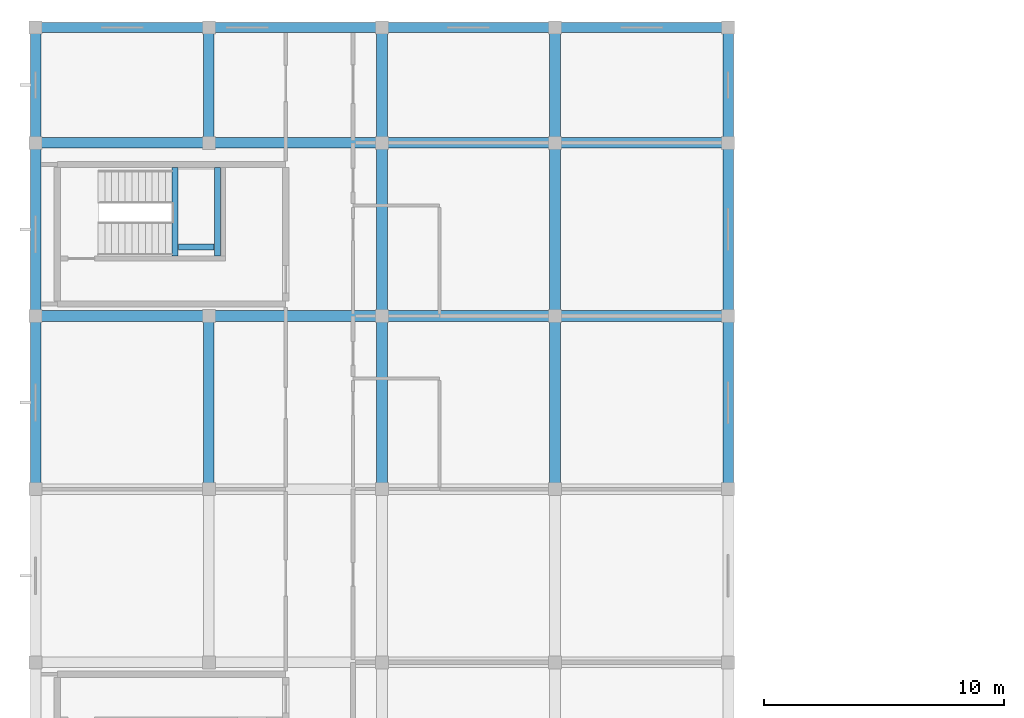
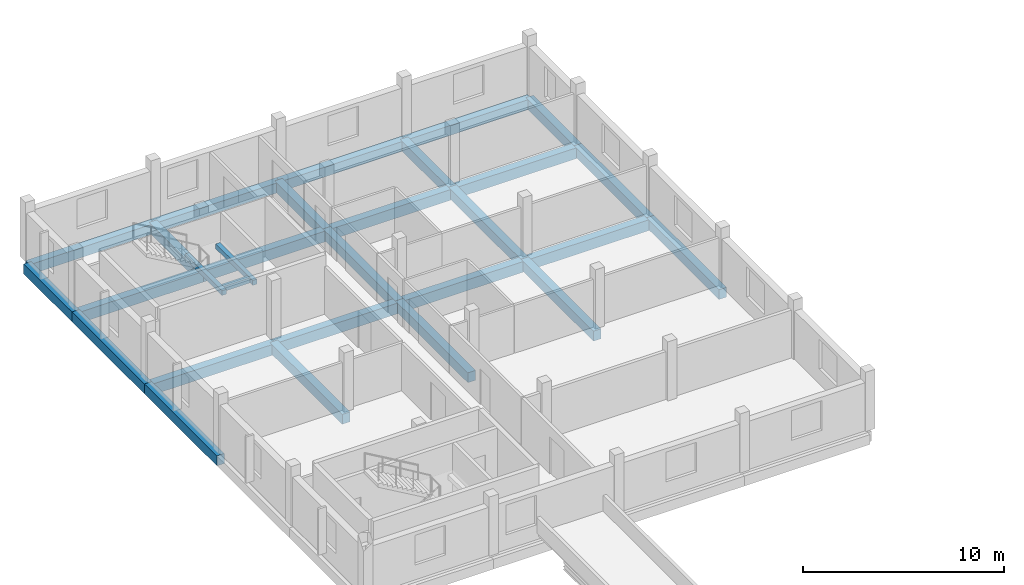
# One storey, part 38 of 93: 29 beams.
"""IFC4 building model written with IfcOpenShell, lengths in metres."""

from ifc_helpers import new_model, si_unit, direction, frame, origin, origin_2d, place, context, subcontext, project, spatial, rectangle, extrude, material, material_profile, profile_set, type_object, element, save


model = new_model("IFC4")

# Units and contexts
model_context = context("Model", 3, precision=1e-05, world=origin(), true_north=direction((0.0, 1.0)))
body_context = subcontext(model_context, "Body", "Model", "MODEL_VIEW")
ifc_project = project(units=[si_unit("LENGTHUNIT", "METRE"), si_unit("AREAUNIT", "SQUARE_METRE"), si_unit("VOLUMEUNIT", "CUBIC_METRE"), si_unit("PLANEANGLEUNIT", "RADIAN"), si_unit("MASSUNIT", "GRAM", prefix="KILO")], contexts=[model_context])

# Site, building, storey
site_placement = place(None, origin())
site = spatial("IfcSite", under=ifc_project, at=site_placement, CompositionType="ELEMENT")
building_placement = place(site_placement, origin())
building = spatial("IfcBuilding", under=site, at=building_placement, Name="Zornivar Specialist Clinic", CompositionType="ELEMENT")
storey_placement = place(building_placement, frame((0.0, 0.0, 8.39990234375)))
storey = spatial("IfcBuildingStorey", under=building, at=storey_placement, Name="L02", CompositionType="ELEMENT", Elevation=8.39990234375)

# Beams
ifc_material_1 = material(Name="Concrete C30/37", Category="concrete")
ifc_material_profile_1 = material_profile(ifc_material_1, rectangle(XDim=0.25, YDim=0.300048828125, at=origin_2d()), Name="RC 250x300")
ifc_profile_set_1 = profile_set([ifc_material_profile_1], Name="Concrete C30/37")
beam_type_1 = type_object("IfcBeamType", Name="BM-LAND-250x300", PredefinedType="BEAM", material=ifc_profile_set_1)
for number, where, z_axis, x_axis, name in (
    (1, (5.800048828125, 103.300048828125, 1.6201171875), (0.0, 1.0, 0.0), (-1.0, 0.0, 0.0), "bm:stair:C8:L02:lW"),
    (2, (7.56005859375, 103.300048828125, 1.6201171875), (0.0, 1.0, 0.0), (-1.0, 0.0, 0.0), "bm:stair:C8:L02:lE"),
):
    element("IfcBeam", number, at=place(storey_placement, frame(where, z_axis=z_axis, x_axis=x_axis)), inside=storey, type_object=beam_type_1, Name=name, PredefinedType="BEAM", context=body_context, shape_type="SweptSolid", body=[
        extrude(rectangle(XDim=0.25, YDim=0.300048828125, at=origin_2d()), origin(), (0.0, 0.0, 1.0), 3.669921875),
    ])
beam_1_placement = place(storey_placement, frame((5.93505859375, 103.679931640625, 1.6201171875), z_axis=(1.0, 0.0, 0.0), x_axis=(0.0, 1.0, 0.0)))
element("IfcBeam", 3, at=beam_1_placement, inside=storey, type_object=beam_type_1, Name="bm:stair:C8:L02:lS", PredefinedType="BEAM", context=body_context, shape_type="SweptSolid", body=[
    extrude(rectangle(XDim=0.25, YDim=0.300048828125, at=origin_2d()), origin(), (0.0, 0.0, 1.0), 1.489990234375),
])
ifc_material_2 = material(Name="Concrete C30/37", Category="concrete")
ifc_material_profile_2 = material_profile(ifc_material_2, rectangle(XDim=0.43994140625, YDim=0.64990234375, at=origin_2d()), Name="RC 440x650")
ifc_profile_set_2 = profile_set([ifc_material_profile_2], Name="Concrete C30/37")
beam_type_2 = type_object("IfcBeamType", Name="BM-RC-440x650", PredefinedType="BEAM", material=ifc_profile_set_2)
for number, where, z_axis, x_axis, name in (
    (4, (0.0, 100.800048828125, -0.635009765625), (1.0, 0.0, 0.0), (0.0, 1.0, 0.0), "bm:V5:L02:x:1008:0"),
    (5, (7.199951171875, 100.800048828125, -0.635009765625), (1.0, 0.0, 0.0), (0.0, 1.0, 0.0), "bm:V5:L02:x:1008:1"),
):
    element("IfcBeam", number, at=place(storey_placement, frame(where, z_axis=z_axis, x_axis=x_axis)), inside=storey, type_object=beam_type_2, Name=name, PredefinedType="BEAM", context=body_context, shape_type="SweptSolid", body=[
        extrude(rectangle(XDim=0.43994140625, YDim=0.64990234375, at=origin_2d()), origin(), (0.0, 0.0, 1.0), 7.199951171875),
    ])
beam_2_placement = place(storey_placement, frame((14.39990234375, 100.800048828125, -0.635009765625), z_axis=(1.0, 0.0, 0.0), x_axis=(0.0, 1.0, 0.0)))
element("IfcBeam", 6, at=beam_2_placement, inside=storey, type_object=beam_type_2, Name="bm:V5:L02:x:1008:2", PredefinedType="BEAM", context=body_context, shape_type="SweptSolid", body=[
    extrude(rectangle(XDim=0.43994140625, YDim=0.64990234375, at=origin_2d()), origin(), (0.0, 0.0, 1.0), 7.2001953125),
])
for number, where, z_axis, x_axis, name in (
    (7, (21.60009765625, 100.800048828125, -0.635009765625), (1.0, 0.0, 0.0), (0.0, 1.0, 0.0), "bm:V5:L02:x:1008:3"),
    (8, (0.0, 108.0, -0.635009765625), (1.0, 0.0, 0.0), (0.0, 1.0, 0.0), "bm:V5:L02:x:1080:0"),
    (9, (7.199951171875, 108.0, -0.635009765625), (1.0, 0.0, 0.0), (0.0, 1.0, 0.0), "bm:V5:L02:x:1080:1"),
):
    element("IfcBeam", number, at=place(storey_placement, frame(where, z_axis=z_axis, x_axis=x_axis)), inside=storey, type_object=beam_type_2, Name=name, PredefinedType="BEAM", context=body_context, shape_type="SweptSolid", body=[
        extrude(rectangle(XDim=0.43994140625, YDim=0.64990234375, at=origin_2d()), origin(), (0.0, 0.0, 1.0), 7.199951171875),
    ])
beam_3_placement = place(storey_placement, frame((14.39990234375, 108.0, -0.635009765625), z_axis=(1.0, 0.0, 0.0), x_axis=(0.0, 1.0, 0.0)))
element("IfcBeam", 10, at=beam_3_placement, inside=storey, type_object=beam_type_2, Name="bm:V5:L02:x:1080:2", PredefinedType="BEAM", context=body_context, shape_type="SweptSolid", body=[
    extrude(rectangle(XDim=0.43994140625, YDim=0.64990234375, at=origin_2d()), origin(), (0.0, 0.0, 1.0), 7.2001953125),
])
beam_4_placement = place(storey_placement, frame((21.60009765625, 108.0, -0.635009765625), z_axis=(1.0, 0.0, 0.0), x_axis=(0.0, 1.0, 0.0)))
element("IfcBeam", 11, at=beam_4_placement, inside=storey, type_object=beam_type_2, Name="bm:V5:L02:x:1080:3", PredefinedType="BEAM", context=body_context, shape_type="SweptSolid", body=[
    extrude(rectangle(XDim=0.43994140625, YDim=0.64990234375, at=origin_2d()), origin(), (0.0, 0.0, 1.0), 7.199951171875),
])
ifc_material_3 = material(Name="Concrete C30/37", Category="concrete")
ifc_material_profile_3 = material_profile(ifc_material_3, rectangle(XDim=0.449951171875, YDim=0.60009765625, at=origin_2d()), Name="RC 450x600")
ifc_profile_set_3 = profile_set([ifc_material_profile_3], Name="Concrete C30/37")
beam_type_3 = type_object("IfcBeamType", Name="BM-RC-450x600", PredefinedType="BEAM", material=ifc_profile_set_3)
beam_5_placement = place(storey_placement, frame((7.199951171875, 93.60009765625, -0.60986328125), z_axis=(0.0, 1.0, 0.0), x_axis=(-1.0, 0.0, 0.0)))
element("IfcBeam", 12, at=beam_5_placement, inside=storey, type_object=beam_type_3, Name="bm:V5:L02:y:72:2", PredefinedType="BEAM", context=body_context, shape_type="SweptSolid", body=[
    extrude(rectangle(XDim=0.449951171875, YDim=0.60009765625, at=origin_2d()), origin(), (0.0, 0.0, 1.0), 7.199951171875),
])
beam_6_placement = place(storey_placement, frame((7.199951171875, 108.0, -0.60986328125), z_axis=(0.0, 1.0, 0.0), x_axis=(-1.0, 0.0, 0.0)))
element("IfcBeam", 13, at=beam_6_placement, inside=storey, type_object=beam_type_3, Name="bm:V5:L02:y:72:4", PredefinedType="BEAM", context=body_context, shape_type="SweptSolid", body=[
    extrude(rectangle(XDim=0.449951171875, YDim=0.60009765625, at=origin_2d()), origin(), (0.0, 0.0, 1.0), 4.800048828125),
])
for number, where, z_axis, x_axis, name in (
    (14, (14.39990234375, 93.60009765625, -0.60986328125), (0.0, 1.0, 0.0), (-1.0, 0.0, 0.0), "bm:V5:L02:y:144:2"),
    (15, (14.39990234375, 100.800048828125, -0.60986328125), (0.0, 1.0, 0.0), (-1.0, 0.0, 0.0), "bm:V5:L02:y:144:3"),
):
    element("IfcBeam", number, at=place(storey_placement, frame(where, z_axis=z_axis, x_axis=x_axis)), inside=storey, type_object=beam_type_3, Name=name, PredefinedType="BEAM", context=body_context, shape_type="SweptSolid", body=[
        extrude(rectangle(XDim=0.449951171875, YDim=0.60009765625, at=origin_2d()), origin(), (0.0, 0.0, 1.0), 7.199951171875),
    ])
beam_7_placement = place(storey_placement, frame((14.39990234375, 108.0, -0.60986328125), z_axis=(0.0, 1.0, 0.0), x_axis=(-1.0, 0.0, 0.0)))
element("IfcBeam", 16, at=beam_7_placement, inside=storey, type_object=beam_type_3, Name="bm:V5:L02:y:144:4", PredefinedType="BEAM", context=body_context, shape_type="SweptSolid", body=[
    extrude(rectangle(XDim=0.449951171875, YDim=0.60009765625, at=origin_2d()), origin(), (0.0, 0.0, 1.0), 4.800048828125),
])
for number, where, z_axis, x_axis, name in (
    (17, (21.60009765625, 93.60009765625, -0.60986328125), (0.0, 1.0, 0.0), (-1.0, 0.0, 0.0), "bm:V5:L02:y:216:2"),
    (18, (21.60009765625, 100.800048828125, -0.60986328125), (0.0, 1.0, 0.0), (-1.0, 0.0, 0.0), "bm:V5:L02:y:216:3"),
):
    element("IfcBeam", number, at=place(storey_placement, frame(where, z_axis=z_axis, x_axis=x_axis)), inside=storey, type_object=beam_type_3, Name=name, PredefinedType="BEAM", context=body_context, shape_type="SweptSolid", body=[
        extrude(rectangle(XDim=0.449951171875, YDim=0.60009765625, at=origin_2d()), origin(), (0.0, 0.0, 1.0), 7.199951171875),
    ])
beam_8_placement = place(storey_placement, frame((21.60009765625, 108.0, -0.60986328125), z_axis=(0.0, 1.0, 0.0), x_axis=(-1.0, 0.0, 0.0)))
element("IfcBeam", 19, at=beam_8_placement, inside=storey, type_object=beam_type_3, Name="bm:V5:L02:y:216:4", PredefinedType="BEAM", context=body_context, shape_type="SweptSolid", body=[
    extrude(rectangle(XDim=0.449951171875, YDim=0.60009765625, at=origin_2d()), origin(), (0.0, 0.0, 1.0), 4.800048828125),
])
ifc_material_4 = material(Name="Concrete C30/37", Category="concrete")
ifc_material_profile_4 = material_profile(ifc_material_4, rectangle(XDim=0.429931640625, YDim=0.60009765625, at=origin_2d()), Name="RC 430x600")
ifc_profile_set_4 = profile_set([ifc_material_profile_4], Name="Concrete C30/37")
beam_type_4 = type_object("IfcBeamType", Name="BM-RC-SPANDREL-430x600", PredefinedType="SPANDREL", material=ifc_profile_set_4)
for number, where, z_axis, x_axis, name in (
    (20, (0.0, 112.800048828125, -0.60986328125), (1.0, 0.0, 0.0), (0.0, 1.0, 0.0), "bm:V5:L02:x:1128:0"),
    (21, (7.199951171875, 112.800048828125, -0.60986328125), (1.0, 0.0, 0.0), (0.0, 1.0, 0.0), "bm:V5:L02:x:1128:1"),
):
    element("IfcBeam", number, at=place(storey_placement, frame(where, z_axis=z_axis, x_axis=x_axis)), inside=storey, type_object=beam_type_4, Name=name, PredefinedType="SPANDREL", context=body_context, shape_type="SweptSolid", body=[
        extrude(rectangle(XDim=0.429931640625, YDim=0.60009765625, at=origin_2d()), origin(), (0.0, 0.0, 1.0), 7.199951171875),
    ])
beam_9_placement = place(storey_placement, frame((14.39990234375, 112.800048828125, -0.60986328125), z_axis=(1.0, 0.0, 0.0), x_axis=(0.0, 1.0, 0.0)))
element("IfcBeam", 22, at=beam_9_placement, inside=storey, type_object=beam_type_4, Name="bm:V5:L02:x:1128:2", PredefinedType="SPANDREL", context=body_context, shape_type="SweptSolid", body=[
    extrude(rectangle(XDim=0.429931640625, YDim=0.60009765625, at=origin_2d()), origin(), (0.0, 0.0, 1.0), 7.2001953125),
])
for number, where, z_axis, x_axis, name in (
    (23, (21.60009765625, 112.800048828125, -0.60986328125), (1.0, 0.0, 0.0), (0.0, 1.0, 0.0), "bm:V5:L02:x:1128:3"),
    (24, (0.0, 93.60009765625, -0.60986328125), (0.0, 1.0, 0.0), (-1.0, 0.0, 0.0), "bm:V5:L02:y:0:2"),
    (25, (0.0, 100.800048828125, -0.60986328125), (0.0, 1.0, 0.0), (-1.0, 0.0, 0.0), "bm:V5:L02:y:0:3"),
):
    element("IfcBeam", number, at=place(storey_placement, frame(where, z_axis=z_axis, x_axis=x_axis)), inside=storey, type_object=beam_type_4, Name=name, PredefinedType="SPANDREL", context=body_context, shape_type="SweptSolid", body=[
        extrude(rectangle(XDim=0.429931640625, YDim=0.60009765625, at=origin_2d()), origin(), (0.0, 0.0, 1.0), 7.199951171875),
    ])
beam_10_placement = place(storey_placement, frame((0.0, 108.0, -0.60986328125), z_axis=(0.0, 1.0, 0.0), x_axis=(-1.0, 0.0, 0.0)))
element("IfcBeam", 26, at=beam_10_placement, inside=storey, type_object=beam_type_4, Name="bm:V5:L02:y:0:4", PredefinedType="SPANDREL", context=body_context, shape_type="SweptSolid", body=[
    extrude(rectangle(XDim=0.429931640625, YDim=0.60009765625, at=origin_2d()), origin(), (0.0, 0.0, 1.0), 4.800048828125),
])
for number, where, z_axis, x_axis, name in (
    (27, (28.800048828125, 93.60009765625, -0.60986328125), (0.0, 1.0, 0.0), (-1.0, 0.0, 0.0), "bm:V5:L02:y:288:2"),
    (28, (28.800048828125, 100.800048828125, -0.60986328125), (0.0, 1.0, 0.0), (-1.0, 0.0, 0.0), "bm:V5:L02:y:288:3"),
):
    element("IfcBeam", number, at=place(storey_placement, frame(where, z_axis=z_axis, x_axis=x_axis)), inside=storey, type_object=beam_type_4, Name=name, PredefinedType="SPANDREL", context=body_context, shape_type="SweptSolid", body=[
        extrude(rectangle(XDim=0.429931640625, YDim=0.60009765625, at=origin_2d()), origin(), (0.0, 0.0, 1.0), 7.199951171875),
    ])
beam_11_placement = place(storey_placement, frame((28.800048828125, 108.0, -0.60986328125), z_axis=(0.0, 1.0, 0.0), x_axis=(-1.0, 0.0, 0.0)))
element("IfcBeam", 29, at=beam_11_placement, inside=storey, type_object=beam_type_4, Name="bm:V5:L02:y:288:4", PredefinedType="SPANDREL", context=body_context, shape_type="SweptSolid", body=[
    extrude(rectangle(XDim=0.429931640625, YDim=0.60009765625, at=origin_2d()), origin(), (0.0, 0.0, 1.0), 4.800048828125),
])

save(model, "model.ifc")
